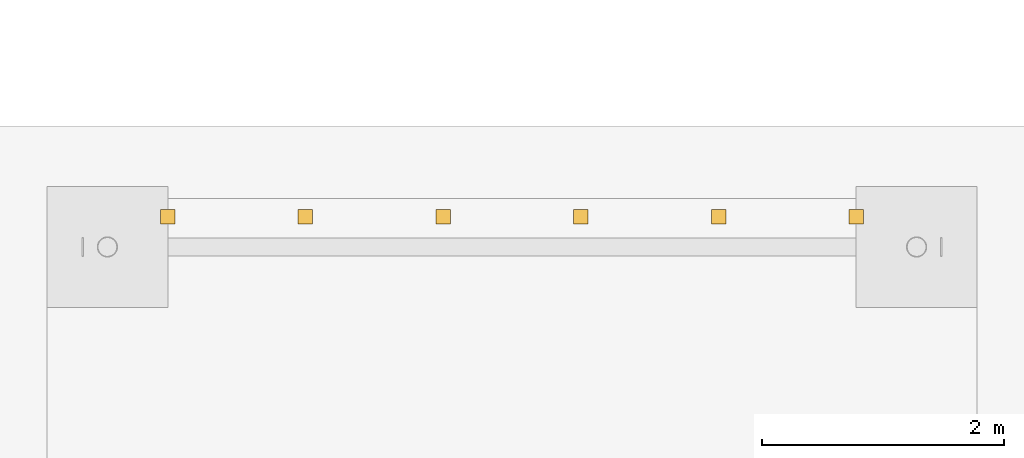
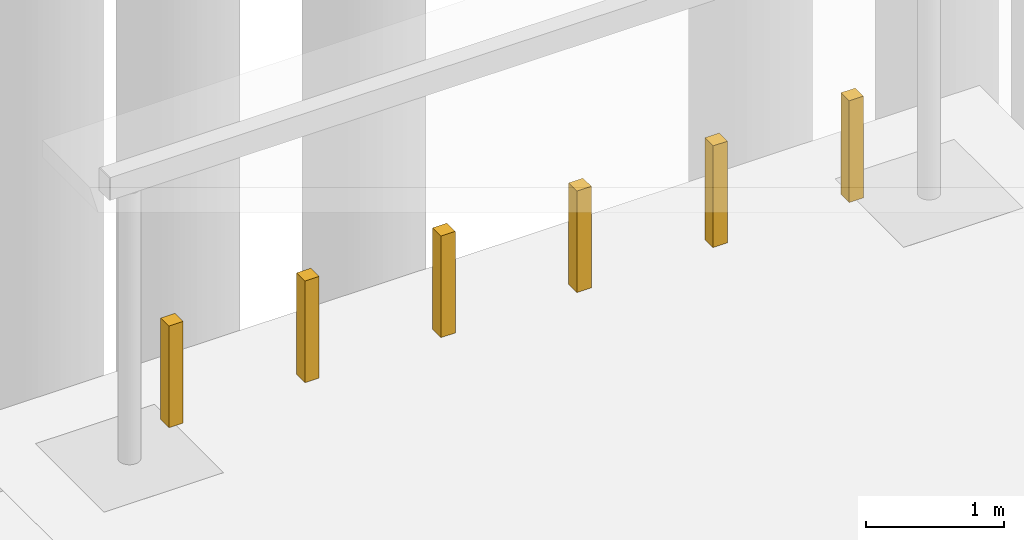
# One storey, part 91 of 99: 6 coverings.
"""IFC4 building model written with IfcOpenShell, lengths in metres."""

from ifc_helpers import new_model, si_unit, direction, origin, place, context, subcontext, project, spatial, polyline, outline, extrude, material, layer, layer_set, type_object, element, save


model = new_model("IFC4")

# Units and contexts
model_context = context("Model", 3, precision=1e-05, world=origin(), true_north=direction((0.0, 1.0)))
body_context = subcontext(model_context, "Body", "Model", "MODEL_VIEW")
ifc_project = project(units=[si_unit("LENGTHUNIT", "METRE"), si_unit("AREAUNIT", "SQUARE_METRE"), si_unit("VOLUMEUNIT", "CUBIC_METRE"), si_unit("PLANEANGLEUNIT", "RADIAN"), si_unit("MASSUNIT", "GRAM", prefix="KILO")], contexts=[model_context])

# Site, building, storey
site_placement = place(None, origin())
site = spatial("IfcSite", under=ifc_project, at=site_placement, CompositionType="ELEMENT")
building_placement = place(site_placement, origin())
building = spatial("IfcBuilding", under=site, at=building_placement, Name="Cour d'Honneur Mobility Palace", CompositionType="ELEMENT")
storey_placement = place(building_placement, origin())
storey = spatial("IfcBuildingStorey", under=building, at=storey_placement, Name="L00", CompositionType="ELEMENT", Elevation=0.0)

# Coverings
ifc_material = material(Name="Galvanised steel", Category="steel")
ifc_layer = layer(ifc_material, 0.10009765625)
ifc_layer_set = layer_set([ifc_layer], Name="Galvanised steel")
covering_type = type_object("IfcCoveringType", Name="Bicycle dock", PredefinedType="CLADDING", material=ifc_layer_set)
covering_1_placement = place(storey_placement, origin())
element("IfcCovering", 1, at=covering_1_placement, inside=storey, type_object=covering_type, Name="Bicycle dock BD-W1", PredefinedType="CLADDING", context=body_context, shape_type="SweptSolid", body=[
    extrude(outline(polyline([(40.840087890625, 19.7900390625), (40.9599609375, 19.7900390625), (40.9599609375, 19.909912109375), (40.840087890625, 19.909912109375), (40.840087890625, 19.7900390625)])), origin(), (0.0, 0.0, 1.0), 0.89990234375),
])
covering_2_placement = place(storey_placement, origin())
element("IfcCovering", 2, at=covering_2_placement, inside=storey, type_object=covering_type, Name="Bicycle dock BD-W2", PredefinedType="CLADDING", context=body_context, shape_type="SweptSolid", body=[
    extrude(outline(polyline([(41.97998046875, 19.7900390625), (42.10009765625, 19.7900390625), (42.10009765625, 19.909912109375), (41.97998046875, 19.909912109375), (41.97998046875, 19.7900390625)])), origin(), (0.0, 0.0, 1.0), 0.89990234375),
])
covering_3_placement = place(storey_placement, origin())
element("IfcCovering", 3, at=covering_3_placement, inside=storey, type_object=covering_type, Name="Bicycle dock BD-W3", PredefinedType="CLADDING", context=body_context, shape_type="SweptSolid", body=[
    extrude(outline(polyline([(43.1201171875, 19.7900390625), (43.239990234375, 19.7900390625), (43.239990234375, 19.909912109375), (43.1201171875, 19.909912109375), (43.1201171875, 19.7900390625)])), origin(), (0.0, 0.0, 1.0), 0.89990234375),
])
covering_4_placement = place(storey_placement, origin())
element("IfcCovering", 4, at=covering_4_placement, inside=storey, type_object=covering_type, Name="Bicycle dock BD-W4", PredefinedType="CLADDING", context=body_context, shape_type="SweptSolid", body=[
    extrude(outline(polyline([(44.260009765625, 19.7900390625), (44.3798828125, 19.7900390625), (44.3798828125, 19.909912109375), (44.260009765625, 19.909912109375), (44.260009765625, 19.7900390625)])), origin(), (0.0, 0.0, 1.0), 0.89990234375),
])
covering_5_placement = place(storey_placement, origin())
element("IfcCovering", 5, at=covering_5_placement, inside=storey, type_object=covering_type, Name="Bicycle dock BD-W5", PredefinedType="CLADDING", context=body_context, shape_type="SweptSolid", body=[
    extrude(outline(polyline([(45.39990234375, 19.7900390625), (45.52001953125, 19.7900390625), (45.52001953125, 19.909912109375), (45.39990234375, 19.909912109375), (45.39990234375, 19.7900390625)])), origin(), (0.0, 0.0, 1.0), 0.89990234375),
])
covering_6_placement = place(storey_placement, origin())
element("IfcCovering", 6, at=covering_6_placement, inside=storey, type_object=covering_type, Name="Bicycle dock BD-W6", PredefinedType="CLADDING", context=body_context, shape_type="SweptSolid", body=[
    extrude(outline(polyline([(46.5400390625, 19.7900390625), (46.659912109375, 19.7900390625), (46.659912109375, 19.909912109375), (46.5400390625, 19.909912109375), (46.5400390625, 19.7900390625)])), origin(), (0.0, 0.0, 1.0), 0.89990234375),
])

save(model, "model.ifc")
